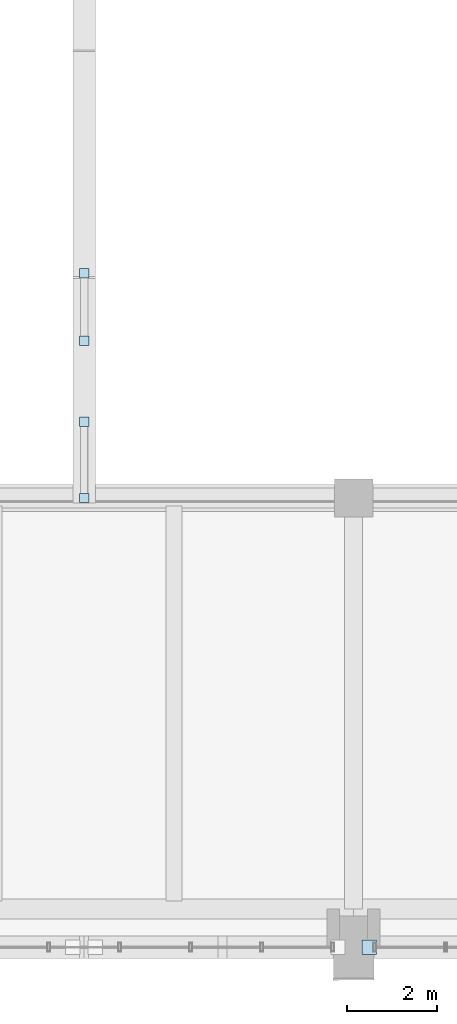
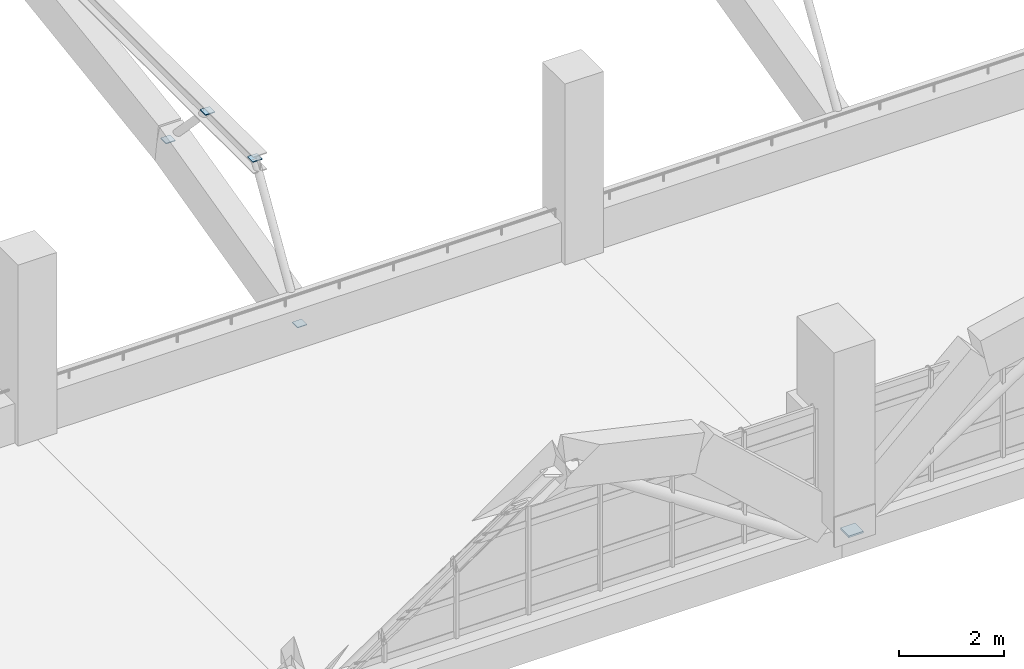
# One storey, part 142 of 161: 5 plates.
"""IFC4 building model written with IfcOpenShell, lengths in metres."""

from ifc_helpers import new_model, si_unit, direction, frame, origin, origin_2d, place, context, subcontext, project, spatial, rectangle, extrude, material, layer, layer_set, type_object, element, save


model = new_model("IFC4")

# Units and contexts
model_context = context("Model", 3, precision=1e-05, world=origin(), true_north=direction((0.0, 1.0)))
body_context = subcontext(model_context, "Body", "Model", "MODEL_VIEW")
ifc_project = project(units=[si_unit("LENGTHUNIT", "METRE"), si_unit("AREAUNIT", "SQUARE_METRE"), si_unit("VOLUMEUNIT", "CUBIC_METRE"), si_unit("PLANEANGLEUNIT", "RADIAN"), si_unit("MASSUNIT", "GRAM", prefix="KILO")], contexts=[model_context])

# Site, building, storey
site_placement = place(None, origin())
site = spatial("IfcSite", under=ifc_project, at=site_placement, CompositionType="ELEMENT")
building_placement = place(site_placement, origin())
building = spatial("IfcBuilding", under=site, at=building_placement, Name="Mersad Railyard Sports Hall", CompositionType="ELEMENT")
storey_placement = place(building_placement, frame((0.0, 0.0, 4.800048828125)))
storey = spatial("IfcBuildingStorey", under=building, at=storey_placement, Name="L01", CompositionType="ELEMENT", Elevation=4.800048828125)

# Plates
ifc_material = material(Name="Steel S355", Category="steel")
ifc_layer_1 = layer(ifc_material, 0.01611328125)
ifc_layer_set_1 = layer_set([ifc_layer_1], Name="Steel S355")
plate_type_1 = type_object("IfcPlateType", Name="STR-PL-KP02", PredefinedType="SHEET", material=ifc_layer_set_1)
for number, where, z_axis, x_axis, name in (
    (1, (61.0, 13.5, 0.33154296875), (0.0, 0.0, 1.0), (1.0, 0.0, 0.0), "End cap plate KP02-0149"),
    (2, (61.0, 15.199951171875, 3.141845703125), (0.0, 0.0, 1.0), (1.0, 0.0, 0.0), "End cap plate KP02-0150"),
    (3, (61.0, 18.5, 1.5712890625), (0.0, 0.0, 1.0), (1.0, 0.0, 0.0), "End cap plate KP02-0151"),
    (4, (61.0, 17.0, 3.141845703125), (0.0, 0.0, 1.0), (1.0, 0.0, 0.0), "End cap plate KP02-0152"),
):
    element("IfcPlate", number, at=place(storey_placement, frame(where, z_axis=z_axis, x_axis=x_axis)), inside=storey, type_object=plate_type_1, Name=name, PredefinedType="SHEET", context=body_context, shape_type="SweptSolid", body=[
        extrude(rectangle(XDim=0.2099609375, YDim=0.2099609375, at=origin_2d()), origin(), (0.0, 0.0, 1.0), 0.01611328125),
    ])
ifc_layer_2 = layer(ifc_material, 0.0400390625)
ifc_layer_set_2 = layer_set([ifc_layer_2], Name="Steel S355")
plate_type_2 = type_object("IfcPlateType", Name="STR-PL-KP06", PredefinedType="SHEET", material=ifc_layer_set_2)
plate_placement = place(storey_placement, frame((67.35009765625, 3.5, -0.64013671875), z_axis=(0.0, 0.0, 1.0), x_axis=(1.0, 0.0, 0.0)))
element("IfcPlate", 5, at=plate_placement, inside=storey, type_object=plate_type_2, Name="End cap plate KP06-0041", PredefinedType="SHEET", context=body_context, shape_type="SweptSolid", body=[
    extrude(rectangle(XDim=0.320068359375, YDim=0.320068359375, at=origin_2d()), origin(), (0.0, 0.0, 1.0), 0.0400390625),
])

save(model, "model.ifc")
